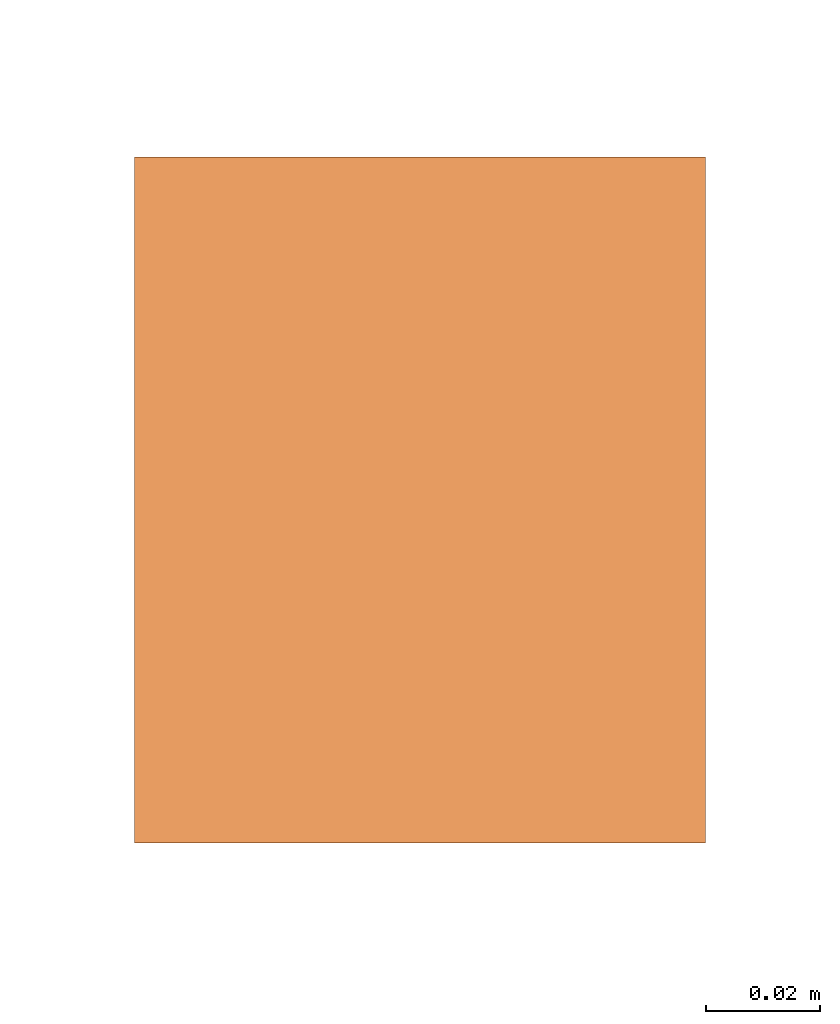
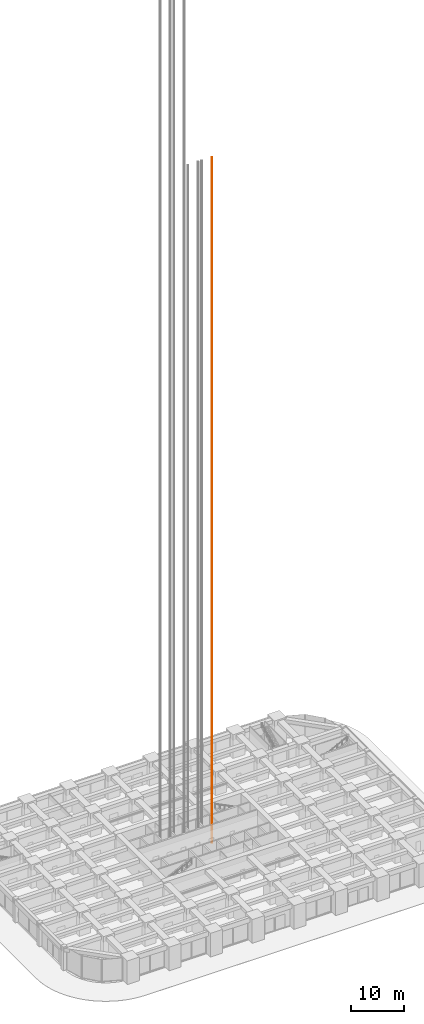
# One storey, part 56 of 56: 1 proxy.
"""IFC4 building model written with IfcOpenShell, lengths in metres."""

from ifc_helpers import new_model, si_unit, direction, frame, origin, origin_2d, place, context, subcontext, project, spatial, rectangle, extrude, element, save


model = new_model("IFC4")

# Units and contexts
model_context = context("Model", 3, precision=1e-05, world=origin(), true_north=direction((0.0, 1.0)))
body_context = subcontext(model_context, "Body", "Model", "MODEL_VIEW")
ifc_project = project(units=[si_unit("LENGTHUNIT", "METRE"), si_unit("AREAUNIT", "SQUARE_METRE"), si_unit("VOLUMEUNIT", "CUBIC_METRE"), si_unit("PLANEANGLEUNIT", "RADIAN"), si_unit("MASSUNIT", "GRAM", prefix="KILO")], contexts=[model_context])

# Site, building, storey
site_placement = place(None, origin())
site = spatial("IfcSite", under=ifc_project, at=site_placement, CompositionType="ELEMENT")
building_placement = place(site_placement, origin())
building = spatial("IfcBuilding", under=site, at=building_placement, Name="Zorevar Civic Tower", CompositionType="ELEMENT")
storey_placement = place(building_placement, origin())
storey = spatial("IfcBuildingStorey", under=building, at=storey_placement, Name="L00", CompositionType="ELEMENT", Elevation=0.0)

# Proxy
proxy_placement = place(storey_placement, frame((35.60009765625, 30.89990234375, 0.0), z_axis=(0.0, 0.0, 1.0), x_axis=(1.0, 0.0, 0.0)))
element("IfcBuildingElementProxy", 1, at=proxy_placement, inside=storey, Name="Passenger lift LM1 guide rail 2", PredefinedType="NOTDEFINED", context=body_context, shape_type="SweptSolid", body=[
    extrude(rectangle(XDim=0.10009765625, YDim=0.1201171875, at=origin_2d()), origin(), (0.0, 0.0, 1.0), 156.5),
])

save(model, "model.ifc")
